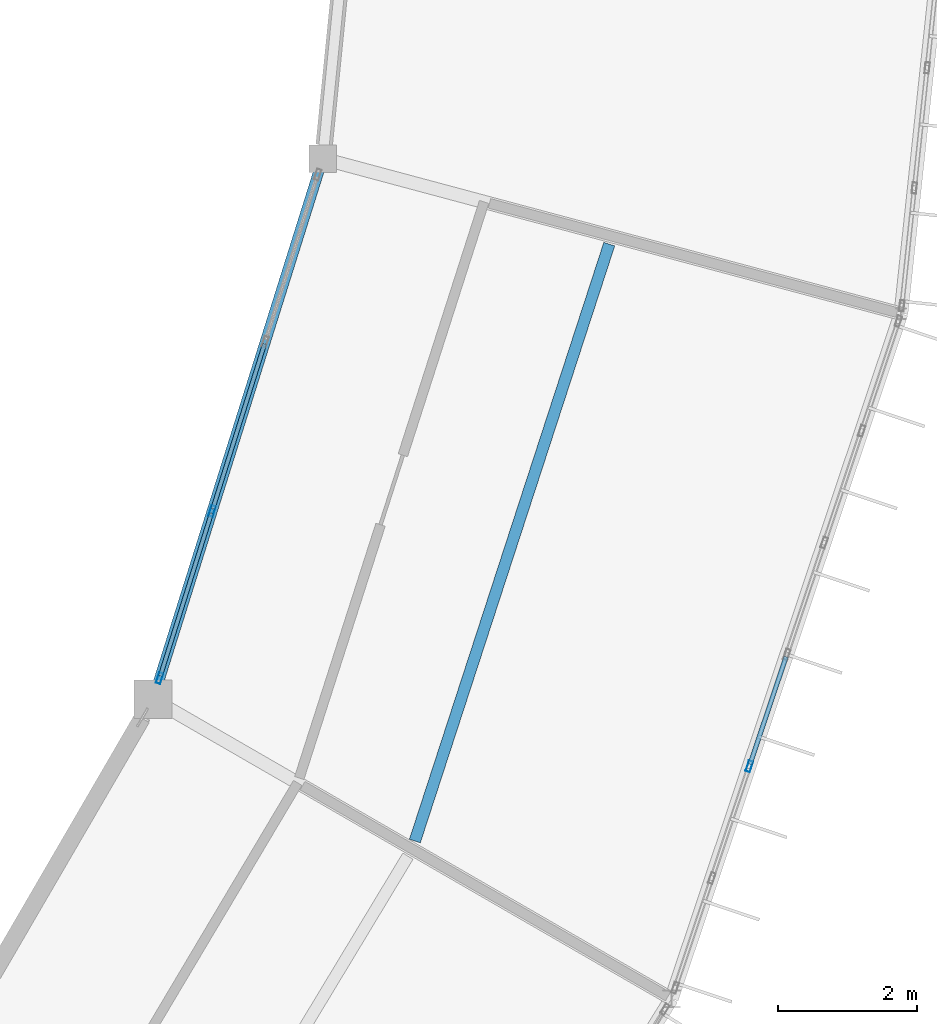
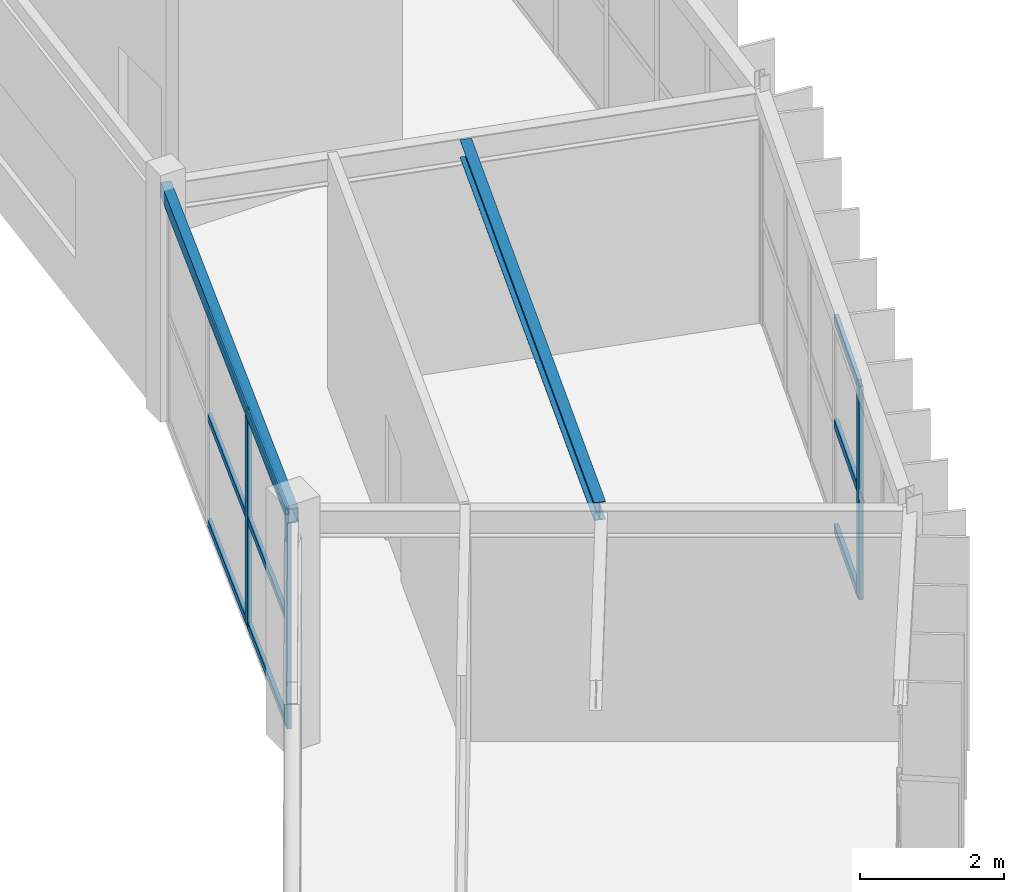
# One storey, part 69 of 157: 12 members, 2 beams, 2 elements without a shape of their own.
"""IFC4 building model written with IfcOpenShell, lengths in metres."""

from ifc_helpers import new_model, si_unit, direction, frame, origin, origin_2d, place, context, subcontext, project, spatial, hollow_rectangle, i_section, extrude, material, material_profile, profile_set, type_object, element, aggregate, save


model = new_model("IFC4")

# Units and contexts
model_context = context("Model", 3, precision=1e-05, world=origin(), true_north=direction((0.0, 1.0)))
body_context = subcontext(model_context, "Body", "Model", "MODEL_VIEW")
ifc_project = project(units=[si_unit("LENGTHUNIT", "METRE"), si_unit("AREAUNIT", "SQUARE_METRE"), si_unit("VOLUMEUNIT", "CUBIC_METRE"), si_unit("PLANEANGLEUNIT", "RADIAN"), si_unit("MASSUNIT", "GRAM", prefix="KILO")], contexts=[model_context])

# Site, building, storey
site_placement = place(None, origin())
site = spatial("IfcSite", under=ifc_project, at=site_placement, CompositionType="ELEMENT")
building_placement = place(site_placement, origin())
building = spatial("IfcBuilding", under=site, at=building_placement, Name="Karori Crest Natural Sciences Institute", CompositionType="ELEMENT")
storey_placement = place(building_placement, frame((0.0, 0.0, 13.300048828125)))
storey = spatial("IfcBuildingStorey", under=building, at=storey_placement, Name="L03", CompositionType="ELEMENT", Elevation=13.300048828125)

# Beams
ifc_material_1 = material(Name="Structural steel AS/NZS 3679.1 Grade 350", Category="steel")
ifc_material_profile_1 = material_profile(ifc_material_1, i_section(OverallWidth=0.1650390625, OverallDepth=0.303955078125, WebThickness=0.006103515625, FlangeThickness=0.01025390625, FilletRadius=0.010986328125, at=origin_2d()), Name="310UB40.4")
ifc_profile_set_1 = profile_set([ifc_material_profile_1], Name="Structural steel AS/NZS 3679.1 Grade 350")
beam_type_1 = type_object("IfcBeamType", Name="BT-10", PredefinedType="BEAM", material=ifc_profile_set_1)
beam_1_placement = place(storey_placement, frame((91.2919921875, 31.76416015625, 3.787841796875), z_axis=(0.309698753032, 0.950834729262, 0.0), x_axis=(-0.950834729262, 0.309698753032, 0.0)))
element("IfcBeam", 1, at=beam_1_placement, inside=storey, type_object=beam_type_1, Name="Beam B-0447", PredefinedType="BEAM", context=body_context, shape_type="SweptSolid", body=[
    extrude(i_section(OverallWidth=0.1650390625, OverallDepth=0.303955078125, WebThickness=0.006103515625, FlangeThickness=0.01025390625, FilletRadius=0.010986328125, at=origin_2d()), origin(), (0.0, 0.0, 1.0), 9.018310546875),
])
ifc_material_2 = material(Name="Hollow structural steel AS/NZS 1163 Grade C350", Category="steel")
ifc_material_profile_2 = material_profile(ifc_material_2, hollow_rectangle(XDim=0.14990234375, YDim=0.25, WallThickness=0.009033203125, at=origin_2d()), Name="RHS250x150x9")
ifc_profile_set_2 = profile_set([ifc_material_profile_2], Name="Hollow structural steel AS/NZS 1163 Grade C350")
beam_type_2 = type_object("IfcBeamType", Name="BT-16", PredefinedType="SPANDREL", material=ifc_profile_set_2)
beam_2_placement = place(storey_placement, frame((87.531005859375, 33.800048828125, 3.7900390625), z_axis=(0.299468576182, 0.954106163841, 0.0), x_axis=(-0.954106163841, 0.299468576182, 0.0)))
element("IfcBeam", 2, at=beam_2_placement, inside=storey, type_object=beam_type_2, Name="Beam B-0445", PredefinedType="SPANDREL", context=body_context, shape_type="SweptSolid", body=[
    extrude(hollow_rectangle(XDim=0.14990234375, YDim=0.25, WallThickness=0.009033203125, at=origin_2d()), origin(), (0.0, 0.0, 1.0), 8.139404296875),
])

# Curtain wall, member
ifc_material_3 = material(Name="Anodised architectural aluminium 6063-T6", Category="aluminium")
curtain_wall_type_1 = type_object("IfcCurtainWallType", Name="CWT-03", PredefinedType="NOTDEFINED", material=ifc_material_3)
curtain_wall_1_placement = place(storey_placement, origin())
curtain_wall_1 = element("IfcCurtainWall", 3, at=curtain_wall_1_placement, inside=storey, type_object=curtain_wall_type_1, Name="Curtain wall CW-0133", PredefinedType="NOTDEFINED")
ifc_material_profile_3 = material_profile(ifc_material_3, hollow_rectangle(XDim=0.06494140625, YDim=0.159912109375, WallThickness=0.00390625, at=origin_2d()), Name="CWM160x65x4")
ifc_profile_set_3 = profile_set([ifc_material_profile_3], Name="Anodised architectural aluminium 6063-T6")
member_type_1 = type_object("IfcMemberType", Name="CWM-01", PredefinedType="MULLION", material=ifc_profile_set_3)
member_1_placement = place(storey_placement, frame((96.096923828125, 32.837158203125, 0.0), z_axis=(0.0, 0.0, 1.0), x_axis=(0.94819805026, -0.317679803392, 0.0)))
member_1 = element("IfcMember", 4, at=member_1_placement, type_object=member_type_1, Name="CW-0133 mullion 5", PredefinedType="MULLION", context=body_context, shape_type="SweptSolid", body=[
    extrude(hollow_rectangle(XDim=0.06494140625, YDim=0.159912109375, WallThickness=0.00390625, at=origin_2d()), origin(), (0.0, 0.0, 1.0), 3.625),
])

# Curtain wall, members
curtain_wall_type_2 = type_object("IfcCurtainWallType", Name="CWT-13", PredefinedType="NOTDEFINED", material=ifc_material_3)
curtain_wall_2_placement = place(storey_placement, origin())
curtain_wall_2 = element("IfcCurtainWall", 5, at=curtain_wall_2_placement, inside=storey, type_object=curtain_wall_type_2, Name="Curtain wall CW-0134", PredefinedType="NOTDEFINED")
member_2_placement = place(storey_placement, frame((87.62646484375, 34.10400390625, 0.0), z_axis=(0.0, 0.0, 1.0), x_axis=(-0.954104067778, 0.299475254154, 0.0)))
member_2 = element("IfcMember", 6, at=member_2_placement, type_object=member_type_1, Name="CW-0134 mullion 1", PredefinedType="MULLION", context=body_context, shape_type="SweptSolid", body=[
    extrude(hollow_rectangle(XDim=0.06494140625, YDim=0.159912109375, WallThickness=0.00390625, at=origin_2d()), origin(), (0.0, 0.0, 1.0), 3.64990234375),
])
member_3_placement = place(storey_placement, frame((88.3798828125, 36.504638671875, 0.0), z_axis=(0.0, 0.0, 1.0), x_axis=(-0.954104067778, 0.299475254154, 0.0)))
member_3 = element("IfcMember", 7, at=member_3_placement, type_object=member_type_1, Name="CW-0134 mullion 2", PredefinedType="MULLION", context=body_context, shape_type="SweptSolid", body=[
    extrude(hollow_rectangle(XDim=0.06494140625, YDim=0.159912109375, WallThickness=0.00390625, at=origin_2d()), origin(), (0.0, 0.0, 1.0), 3.64990234375),
])
ifc_material_profile_4 = material_profile(ifc_material_3, hollow_rectangle(XDim=0.06005859375, YDim=0.1201171875, WallThickness=0.00390625, at=origin_2d()), Name="CWT120x60x4")
ifc_profile_set_4 = profile_set([ifc_material_profile_4], Name="Anodised architectural aluminium 6063-T6")
member_type_2 = type_object("IfcMemberType", Name="CWT-TR1", PredefinedType="USERDEFINED", material=ifc_profile_set_4)
member_4_placement = place(storey_placement, frame((87.63623046875, 34.135009765625, 0.030029296875), z_axis=(0.299414751752, 0.954123056232, 0.0), x_axis=(-0.954123056232, 0.299414751752, 0.0)))
member_4 = element("IfcMember", 8, at=member_4_placement, type_object=member_type_2, Name="CW-0134 transom 1.1", ObjectType="TRANSOM", PredefinedType="USERDEFINED", context=body_context, shape_type="SweptSolid", body=[
    extrude(hollow_rectangle(XDim=0.06005859375, YDim=0.1201171875, WallThickness=0.00390625, at=origin_2d()), origin(), (0.0, 0.0, 1.0), 2.451171875),
])
member_5_placement = place(storey_placement, frame((87.63623046875, 34.135009765625, 1.824951171875), z_axis=(0.299414751752, 0.954123056232, 0.0), x_axis=(-0.954123056232, 0.299414751752, 0.0)))
member_5 = element("IfcMember", 9, at=member_5_placement, type_object=member_type_2, Name="CW-0134 transom 1.2", ObjectType="TRANSOM", PredefinedType="USERDEFINED", context=body_context, shape_type="SweptSolid", body=[
    extrude(hollow_rectangle(XDim=0.06005859375, YDim=0.1201171875, WallThickness=0.00390625, at=origin_2d()), origin(), (0.0, 0.0, 1.0), 2.451171875),
])
member_6_placement = place(storey_placement, frame((87.63623046875, 34.135009765625, 3.619873046875), z_axis=(0.299414751752, 0.954123056232, 0.0), x_axis=(-0.954123056232, 0.299414751752, 0.0)))
member_6 = element("IfcMember", 10, at=member_6_placement, type_object=member_type_2, Name="CW-0134 transom 1.3", ObjectType="TRANSOM", PredefinedType="USERDEFINED", context=body_context, shape_type="SweptSolid", body=[
    extrude(hollow_rectangle(XDim=0.06005859375, YDim=0.1201171875, WallThickness=0.00390625, at=origin_2d()), origin(), (0.0, 0.0, 1.0), 2.451171875),
])
member_7_placement = place(storey_placement, frame((88.3896484375, 36.53564453125, 0.030029296875), z_axis=(0.299517296731, 0.954090870389, 0.0), x_axis=(-0.954090870389, 0.299517296731, 0.0)))
member_7 = element("IfcMember", 11, at=member_7_placement, type_object=member_type_2, Name="CW-0134 transom 2.1", ObjectType="TRANSOM", PredefinedType="USERDEFINED", context=body_context, shape_type="SweptSolid", body=[
    extrude(hollow_rectangle(XDim=0.06005859375, YDim=0.1201171875, WallThickness=0.00390625, at=origin_2d()), origin(), (0.0, 0.0, 1.0), 2.483642578125),
])
member_8_placement = place(storey_placement, frame((88.3896484375, 36.53564453125, 1.824951171875), z_axis=(0.299517296731, 0.954090870389, 0.0), x_axis=(-0.954090870389, 0.299517296731, 0.0)))
member_8 = element("IfcMember", 12, at=member_8_placement, type_object=member_type_2, Name="CW-0134 transom 2.2", ObjectType="TRANSOM", PredefinedType="USERDEFINED", context=body_context, shape_type="SweptSolid", body=[
    extrude(hollow_rectangle(XDim=0.06005859375, YDim=0.1201171875, WallThickness=0.00390625, at=origin_2d()), origin(), (0.0, 0.0, 1.0), 2.483642578125),
])
member_9_placement = place(storey_placement, frame((88.3896484375, 36.53564453125, 3.619873046875), z_axis=(0.299517296731, 0.954090870389, 0.0), x_axis=(-0.954090870389, 0.299517296731, 0.0)))
member_9 = element("IfcMember", 13, at=member_9_placement, type_object=member_type_2, Name="CW-0134 transom 2.3", ObjectType="TRANSOM", PredefinedType="USERDEFINED", context=body_context, shape_type="SweptSolid", body=[
    extrude(hollow_rectangle(XDim=0.06005859375, YDim=0.1201171875, WallThickness=0.00390625, at=origin_2d()), origin(), (0.0, 0.0, 1.0), 2.483642578125),
])
aggregate(curtain_wall_2, [member_2, member_3, member_4, member_5, member_6, member_7, member_8, member_9])

# Member
ifc_material_profile_5 = material_profile(ifc_material_3, hollow_rectangle(XDim=0.06494140625, YDim=0.14990234375, WallThickness=0.00390625, at=origin_2d()), Name="CWT150x65x4")
ifc_profile_set_5 = profile_set([ifc_material_profile_5], Name="Anodised architectural aluminium 6063-T6")
member_type_3 = type_object("IfcMemberType", Name="CWT-TR2", PredefinedType="USERDEFINED", material=ifc_profile_set_5)
member_10_placement = place(storey_placement, frame((96.62451171875, 34.412353515625, 0.032470703125), z_axis=(-0.317621421426, -0.948217608279, 0.0), x_axis=(0.948217608279, -0.317621421426, 0.0)))
member_10 = element("IfcMember", 14, at=member_10_placement, type_object=member_type_3, Name="CW-0133 transom 4.1", ObjectType="TRANSOM", PredefinedType="USERDEFINED", context=body_context, shape_type="SweptSolid", body=[
    extrude(hollow_rectangle(XDim=0.06494140625, YDim=0.14990234375, WallThickness=0.00390625, at=origin_2d()), origin(), (0.0, 0.0, 1.0), 1.628662109375),
])

member_11_placement = place(storey_placement, frame((96.62451171875, 34.412353515625, 1.8125), z_axis=(-0.317621421426, -0.948217608279, 0.0), x_axis=(0.948217608279, -0.317621421426, 0.0)))
member_11 = element("IfcMember", 15, at=member_11_placement, type_object=member_type_3, Name="CW-0133 transom 4.2", ObjectType="TRANSOM", PredefinedType="USERDEFINED", context=body_context, shape_type="SweptSolid", body=[
    extrude(hollow_rectangle(XDim=0.06494140625, YDim=0.14990234375, WallThickness=0.00390625, at=origin_2d()), origin(), (0.0, 0.0, 1.0), 1.628662109375),
])

member_12_placement = place(storey_placement, frame((96.62451171875, 34.412353515625, 3.592529296875), z_axis=(-0.317621421426, -0.948217608279, 0.0), x_axis=(0.948217608279, -0.317621421426, 0.0)))
member_12 = element("IfcMember", 16, at=member_12_placement, type_object=member_type_3, Name="CW-0133 transom 4.3", ObjectType="TRANSOM", PredefinedType="USERDEFINED", context=body_context, shape_type="SweptSolid", body=[
    extrude(hollow_rectangle(XDim=0.06494140625, YDim=0.14990234375, WallThickness=0.00390625, at=origin_2d()), origin(), (0.0, 0.0, 1.0), 1.628662109375),
])

aggregate(curtain_wall_1, [member_1, member_10, member_11, member_12])

save(model, "model.ifc")
